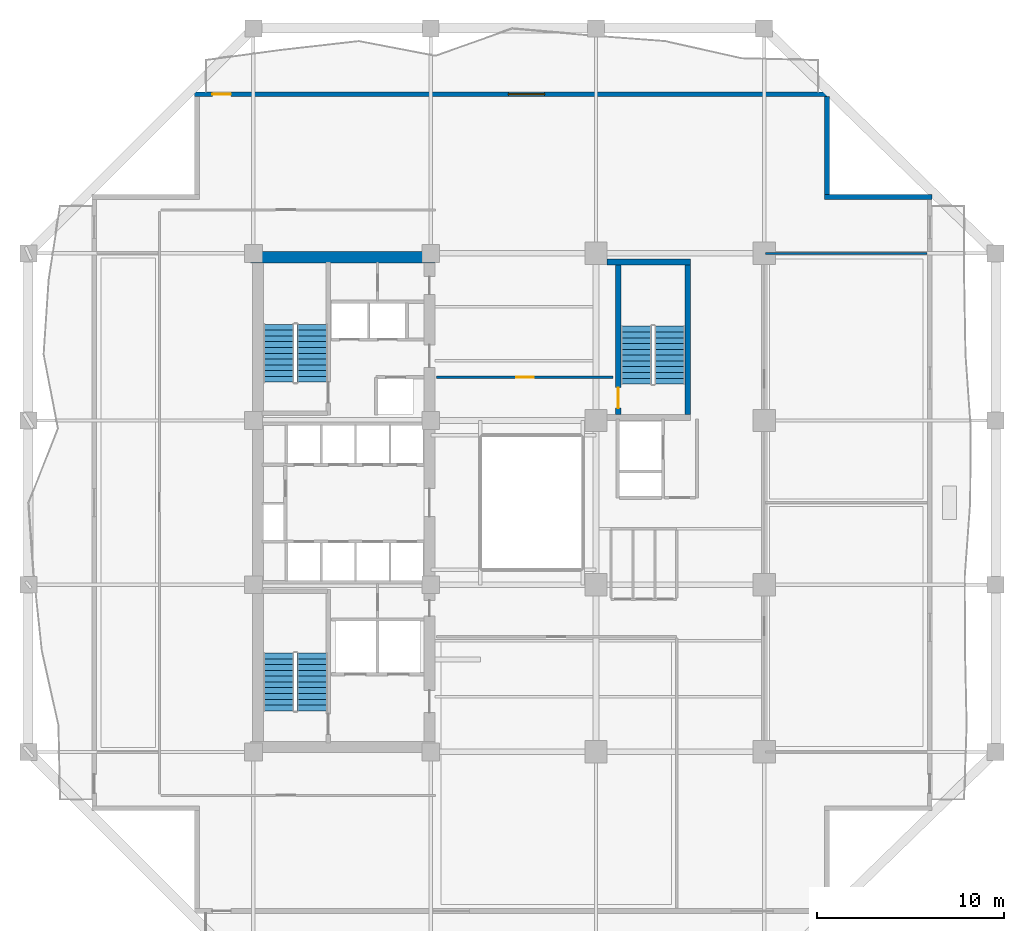
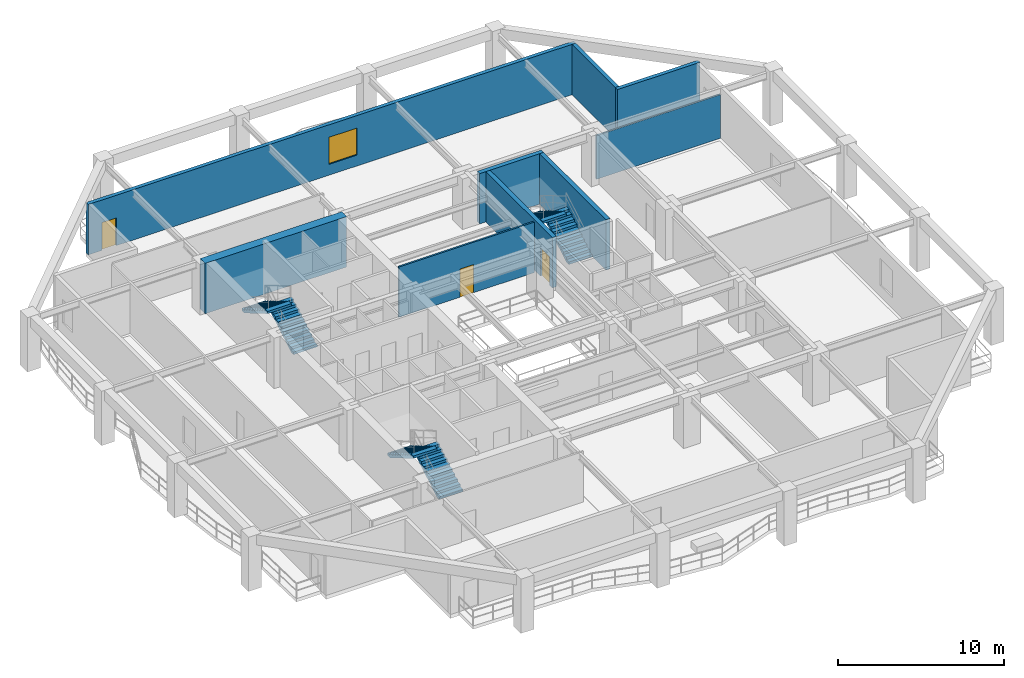
# One storey, part 5 of 13: 9 walls, 6 stair flights, 3 doors, 1 window, 4 openings, 3 elements without a shape of their own.
"""IFC4 building model written with IfcOpenShell, lengths in metres."""

from ifc_helpers import new_model, si_unit, direction, frame, frame_2d, origin, place, context, subcontext, project, spatial, polyline, rectangle, outline, extrude, material, layer, layer_set, type_object, element, fill, aggregate, save


model = new_model("IFC4")

# Units and contexts
model_context = context("Model", 3, precision=1e-05, world=origin(), true_north=direction((0.0, 1.0)))
body_context = subcontext(model_context, "Body", "Model", "MODEL_VIEW")
ifc_project = project(units=[si_unit("LENGTHUNIT", "METRE"), si_unit("AREAUNIT", "SQUARE_METRE"), si_unit("VOLUMEUNIT", "CUBIC_METRE"), si_unit("PLANEANGLEUNIT", "RADIAN"), si_unit("MASSUNIT", "GRAM", prefix="KILO")], contexts=[model_context])

# Site, building, storey
site_placement = place(None, origin())
site = spatial("IfcSite", under=ifc_project, at=site_placement, CompositionType="ELEMENT")
building_placement = place(site_placement, origin())
building = spatial("IfcBuilding", under=site, at=building_placement, Name="Kundavana Baori Tower", CompositionType="ELEMENT")
storey_placement = place(building_placement, frame((0.0, 0.0, 34.0)))
storey = spatial("IfcBuildingStorey", under=building, at=storey_placement, Name="L07", CompositionType="ELEMENT", Elevation=34.0)

# Walls
ifc_material_1 = material(Name="Concrete C60/75", Category="concrete")
ifc_layer_1 = layer(ifc_material_1, 0.60009765625, Name="WL-CORE-600")
ifc_layer_set_1 = layer_set([ifc_layer_1], Name="Concrete C60/75")
wall_type_1 = type_object("IfcWallType", Name="WL-CORE-600", PredefinedType="SHEAR", material=ifc_layer_set_1)
wall_1_placement = place(storey_placement, frame((15.300048828125, 41.739990234375, 0.0), z_axis=(0.0, 0.0, 1.0), x_axis=(1.0, 0.0, 0.0)))
element("IfcWall", 1, at=wall_1_placement, inside=storey, type_object=wall_type_1, Name="L07 Offset Core North Shear Wall", PredefinedType="SHEAR", context=body_context, shape_type="SweptSolid", body=[
    extrude(rectangle(XDim=9.8798828125, YDim=0.60009765625, at=frame_2d((4.93994140625, 0.0))), origin(), (0.0, 0.0, 1.0), 3.719970703125),
])
ifc_material_2 = material(Name="Kiln-Fired Terracotta Brick-Slip Masonry on Concrete C40/50", Category="masonry")
ifc_layer_2 = layer(ifc_material_2, 0.260009765625, Name="WL-EXT-BRK-260")
ifc_layer_set_2 = layer_set([ifc_layer_2], Name="Kiln-Fired Terracotta Brick-Slip Masonry on Concrete C40/50")
wall_type_2 = type_object("IfcWallType", Name="WL-EXT-BRK-260", PredefinedType="SOLIDWALL", material=ifc_layer_set_2)
wall_2_placement = place(storey_placement, frame((51.800048828125, 44.969970703125, 0.0), z_axis=(0.0, 0.0, 1.0), x_axis=(-1.0, 0.0, 0.0)))
element("IfcWall", 2, at=wall_2_placement, inside=storey, type_object=wall_type_2, Name="L07 Exterior Insulated Facade Wall 05", PredefinedType="SOLIDWALL", context=body_context, shape_type="SweptSolid", body=[
    extrude(rectangle(XDim=5.760009765625, YDim=0.260009765625, at=frame_2d((2.8798828125, 0.0))), origin(), (0.0, 0.0, 1.0), 3.719970703125),
])
wall_3_placement = place(storey_placement, frame((46.169921875, 45.10009765625, 0.0), z_axis=(0.0, 0.0, 1.0), x_axis=(0.0, 1.0, 0.0)))
element("IfcWall", 3, at=wall_3_placement, inside=storey, type_object=wall_type_2, Name="L07 Exterior Insulated Facade Wall 06", PredefinedType="SOLIDWALL", context=body_context, shape_type="SweptSolid", body=[
    extrude(rectangle(XDim=5.239990234375, YDim=0.260009765625, at=frame_2d((2.6201171875, 0.0))), origin(), (0.0, 0.0, 1.0), 3.719970703125),
])

# Wall, openings, door, window
wall_4_placement = place(storey_placement, frame((46.300048828125, 50.469970703125, 0.0), z_axis=(0.0, 0.0, 1.0), x_axis=(-1.0, 0.0, 0.0)))
wall_4 = element("IfcWall", 4, at=wall_4_placement, inside=storey, type_object=wall_type_2, Name="L07 Exterior Insulated Facade Wall 07", PredefinedType="SOLIDWALL", context=body_context, shape_type="SweptSolid", body=[
    extrude(rectangle(XDim=34.0, YDim=0.260009765625, at=frame_2d((17.0, 0.0))), origin(), (0.0, 0.0, 1.0), 3.719970703125),
])
opening_1_placement = place(wall_4_placement, frame((32.050048828125, 0.0, 0.0)))
opening_1 = element("IfcOpeningElement", 5, at=opening_1_placement, cuts=wall_4, Name="Opening BD-1", PredefinedType="OPENING", context=body_context, shape_type="SweptSolid", body=[
    extrude(rectangle(XDim=1.0, YDim=2.050048828125, at=frame_2d((0.5, 1.02490234375))), frame((0.0, 0.14013671875, 0.0), z_axis=(0.0, -1.0, 0.0), x_axis=(1.0, 0.0, 0.0)), (0.0, 0.0, 1.0), 0.280029296875),
])
opening_2_placement = place(wall_4_placement, frame((15.25, 0.0, 0.800048828125)))
opening_2 = element("IfcOpeningElement", 6, at=opening_2_placement, cuts=wall_4, Name="Opening W-09", PredefinedType="OPENING", context=body_context, shape_type="SweptSolid", body=[
    extrude(rectangle(XDim=1.949951171875, YDim=2.0, at=frame_2d((0.97509765625, 1.0))), frame((0.0, 0.14013671875, 0.0), z_axis=(0.0, -1.0, 0.0), x_axis=(1.0, 0.0, 0.0)), (0.0, 0.0, 1.0), 0.280029296875),
])
ifc_material_3 = material(Name="Architectural Patinated Bronze Metalwork")
door_type_1 = type_object("IfcDoorType", Name="DR-EXT-LOG-1000", OperationType="NOTDEFINED", PredefinedType="DOOR", material=ifc_material_3)
door_1_placement = place(opening_1_placement, frame((1.0, 0.0, 0.0), z_axis=(0.0, 0.0, 1.0), x_axis=(-1.0, 0.0, 0.0)))
door_1 = element("IfcDoor", 7, at=door_1_placement, inside=storey, type_object=door_type_1, Name="L07 Loggia Balcony Access Door N", OperationType="SINGLE_SWING_LEFT", OverallHeight=2.050048828125, OverallWidth=1.0, PredefinedType="DOOR", context=body_context, shape_type="SweptSolid", body=[
    extrude(rectangle(XDim=1.0, YDim=2.050048828125, at=frame_2d((0.5, 1.02490234375))), frame((0.0, 0.02490234375, 0.0), z_axis=(0.0, -1.0, 0.0), x_axis=(1.0, 0.0, 0.0)), (0.0, 0.0, 1.0), 0.050048828125),
])
fill(opening_1, door_1)
ifc_material_4 = material(Name="Double-Glazed Solar-Control Low-E Insulated Glass", Category="glass")
window_type = type_object("IfcWindowType", Name="WIN-LOG-1950x2000", PartitioningType="SINGLE_PANEL", PredefinedType="WINDOW", material=ifc_material_4)
window_placement = place(opening_2_placement, origin())
window = element("IfcWindow", 8, at=window_placement, inside=storey, type_object=window_type, Name="L07 Recessed Loggia Window N-1", OverallHeight=2.0, OverallWidth=1.949951171875, PartitioningType="SINGLE_PANEL", PredefinedType="WINDOW", context=body_context, shape_type="SweptSolid", body=[
    extrude(rectangle(XDim=1.949951171875, YDim=2.0, at=frame_2d((0.97509765625, 1.0))), frame((0.0, 0.030029296875, 0.0), z_axis=(0.0, -1.0, 0.0), x_axis=(1.0, 0.0, 0.0)), (0.0, 0.0, 1.0), 0.06005859375),
])
fill(opening_2, window)

# Wall, opening, door
ifc_material_5 = material(Name="Acoustic Gypsum Plasterboard on Galvanised Steel Studs", Category="steel")
ifc_layer_3 = layer(ifc_material_5, 0.1201171875, Name="WL-PART-120")
ifc_layer_set_3 = layer_set([ifc_layer_3], Name="Acoustic Gypsum Plasterboard on Galvanised Steel Studs")
wall_type_3 = type_object("IfcWallType", Name="WL-PART-120", PredefinedType="PARTITIONING", material=ifc_layer_set_3)
wall_5_placement = place(storey_placement, frame((25.25, 35.320068359375, 0.0), z_axis=(0.0, 0.0, 1.0), x_axis=(1.0, 0.0, 0.0)))
wall_5 = element("IfcWall", 9, at=wall_5_placement, inside=storey, type_object=wall_type_3, Name="WL-L07-OFN", PredefinedType="PARTITIONING", context=body_context, shape_type="SweptSolid", body=[
    extrude(rectangle(XDim=9.469970703125, YDim=0.1201171875, at=frame_2d((4.73486328125, 0.0))), origin(), (0.0, 0.0, 1.0), 3.719970703125),
])
opening_3_placement = place(wall_5_placement, frame((4.264892578125, 0.0, 0.0)))
opening_3 = element("IfcOpeningElement", 10, at=opening_3_placement, cuts=wall_5, Name="Opening ID-095", PredefinedType="OPENING", context=body_context, shape_type="SweptSolid", body=[
    extrude(rectangle(XDim=0.949951171875, YDim=2.080078125, at=frame_2d((0.47509765625, 1.0400390625))), frame((0.0, 0.070068359375, 0.0), z_axis=(0.0, -1.0, 0.0), x_axis=(1.0, 0.0, 0.0)), (0.0, 0.0, 1.0), 0.14013671875),
])
ifc_material_6 = material(Name="Engineered Teak Solid-Core Timber Veneer", Category="wood")
door_type_2 = type_object("IfcDoorType", Name="DR-INT-950", OperationType="NOTDEFINED", PredefinedType="DOOR", material=ifc_material_6)
door_2_placement = place(opening_3_placement, origin())
door_2 = element("IfcDoor", 11, at=door_2_placement, inside=storey, type_object=door_type_2, Name="DR-L07-OFN1", OperationType="SINGLE_SWING_LEFT", OverallHeight=2.080078125, OverallWidth=0.949951171875, PredefinedType="DOOR", context=body_context, shape_type="SweptSolid", body=[
    extrude(rectangle(XDim=0.949951171875, YDim=2.080078125, at=frame_2d((0.47509765625, 1.0400390625))), frame((0.0, 0.02490234375, 0.0), z_axis=(0.0, -1.0, 0.0), x_axis=(1.0, 0.0, 0.0)), (0.0, 0.0, 1.0), 0.050048828125),
])
fill(opening_3, door_2)

# Walls
wall_6_placement = place(storey_placement, frame((42.8798828125, 41.949951171875, 0.0), z_axis=(0.0, 0.0, 1.0), x_axis=(1.0, 0.0, 0.0)))
element("IfcWall", 12, at=wall_6_placement, inside=storey, type_object=wall_type_3, Name="WL-L07-OFEN", PredefinedType="PARTITIONING", context=body_context, shape_type="SweptSolid", body=[
    extrude(rectangle(XDim=8.64013671875, YDim=0.1201171875, at=frame_2d((4.320068359375, 0.0))), origin(), (0.0, 0.0, 1.0), 3.219970703125),
])
ifc_material_7 = material(Name="Concrete C50/60", Category="concrete")
ifc_layer_4 = layer(ifc_material_7, 0.300048828125, Name="WL-ST3-300")
ifc_layer_set_4 = layer_set([ifc_layer_4], Name="Concrete C50/60")
wall_type_4 = type_object("IfcWallType", Name="WL-ST3-300", PredefinedType="SHEAR", material=ifc_layer_set_4)
wall_7_placement = place(storey_placement, frame((34.39990234375, 41.489990234375, 0.0), z_axis=(0.0, 0.0, 1.0), x_axis=(1.0, 0.0, 0.0)))
element("IfcWall", 13, at=wall_7_placement, inside=storey, type_object=wall_type_4, Name="L07 Stair ST3 North Shear Wall", PredefinedType="SHEAR", context=body_context, shape_type="SweptSolid", body=[
    extrude(rectangle(XDim=4.47021484375, YDim=0.300048828125, at=frame_2d((2.235107421875, 0.0))), origin(), (0.0, 0.0, 1.0), 3.719970703125),
])

# Wall, opening, door
wall_8_placement = place(storey_placement, frame((34.97998046875, 33.31005859375, 0.0), z_axis=(0.0, 0.0, 1.0), x_axis=(0.0, 1.0, 0.0)))
wall_8 = element("IfcWall", 14, at=wall_8_placement, inside=storey, type_object=wall_type_4, Name="L07 Stair ST3 West Shear Wall", PredefinedType="SHEAR", context=body_context, shape_type="SweptSolid", body=[
    extrude(rectangle(XDim=8.030029296875, YDim=0.300048828125, at=frame_2d((4.01513671875, 0.0))), origin(), (0.0, 0.0, 1.0), 3.719970703125),
])
opening_4_placement = place(wall_8_placement, frame((0.35009765625, 0.0, 0.0)))
opening_4 = element("IfcOpeningElement", 15, at=opening_4_placement, cuts=wall_8, Name="Opening FD-110", PredefinedType="OPENING", context=body_context, shape_type="SweptSolid", body=[
    extrude(rectangle(XDim=1.10009765625, YDim=2.10009765625, at=frame_2d((0.550048828125, 1.050048828125))), frame((0.0, 0.16015625, 0.0), z_axis=(0.0, -1.0, 0.0), x_axis=(1.0, 0.0, 0.0)), (0.0, 0.0, 1.0), 0.320068359375),
])
ifc_material_8 = material(Name="Galvanised Steel Fire-Rated Door Leaf", Category="steel")
door_type_3 = type_object("IfcDoorType", Name="DR-FD120-1100", OperationType="NOTDEFINED", PredefinedType="DOOR", material=ifc_material_8)
door_3_placement = place(opening_4_placement, origin())
door_3 = element("IfcDoor", 16, at=door_3_placement, inside=storey, type_object=door_type_3, Name="DR-L07-ST3-W", OperationType="SINGLE_SWING_LEFT", OverallHeight=2.10009765625, OverallWidth=1.10009765625, PredefinedType="DOOR", context=body_context, shape_type="SweptSolid", body=[
    extrude(rectangle(XDim=1.10009765625, YDim=2.10009765625, at=frame_2d((0.550048828125, 1.050048828125))), frame((0.0, 0.02490234375, 0.0), z_axis=(0.0, -1.0, 0.0), x_axis=(1.0, 0.0, 0.0)), (0.0, 0.0, 1.0), 0.050048828125),
])
fill(opening_4, door_3)

# Wall
wall_9_placement = place(storey_placement, frame((38.719970703125, 33.31005859375, 0.0), z_axis=(0.0, 0.0, 1.0), x_axis=(0.0, 1.0, 0.0)))
element("IfcWall", 17, at=wall_9_placement, inside=storey, type_object=wall_type_4, Name="L07 Stair ST3 East Shear Wall", PredefinedType="SHEAR", context=body_context, shape_type="SweptSolid", body=[
    extrude(rectangle(XDim=8.030029296875, YDim=0.300048828125, at=frame_2d((4.01513671875, 0.0))), origin(), (0.0, 0.0, 1.0), 3.719970703125),
])

# Stair, stair flights
ifc_material_9 = material(Name="Concrete C40/50", Category="concrete")
stair_type = type_object("IfcStairType", Name="STR-DOG-1650", PredefinedType="HALF_TURN_STAIR", material=ifc_material_9)
stair_1_placement = place(storey_placement, origin())
stair_1 = element("IfcStair", 18, at=stair_1_placement, inside=storey, type_object=stair_type, Name="L07 Protected Exit Stair ST1", PredefinedType="HALF_TURN_STAIR")
ifc_material_10 = material(Name="Concrete C40/50", Category="concrete")
stair_flight_type = type_object("IfcStairFlightType", Name="SFL-RC-1650", PredefinedType="STRAIGHT", material=ifc_material_10)
stair_flight_1_placement = place(storey_placement, frame((18.614990234375, 17.449951171875, 0.0), z_axis=(0.0, 0.0, 1.0), x_axis=(0.0, 1.0, 0.0)))
stair_flight_1 = element("IfcStairFlight", 19, at=stair_flight_1_placement, type_object=stair_flight_type, Name="ST1 flight 1", NumberOfRisers=11, NumberOfTreads=10, PredefinedType="STRAIGHT", RiserHeight=0.181818182, TreadLength=0.31, context=body_context, shape_type="SweptSolid", body=[
    extrude(outline(polyline([(0.0, 0.0), (0.0, 0.181884765625), (0.31005859375, 0.181884765625), (0.31005859375, 0.363525390625), (0.6201171875, 0.363525390625), (0.6201171875, 0.54541015625), (0.929931640625, 0.54541015625), (0.929931640625, 0.727294921875), (1.239990234375, 0.727294921875), (1.239990234375, 0.9091796875), (1.550048828125, 0.9091796875), (1.550048828125, 1.0908203125), (1.860107421875, 1.0908203125), (1.860107421875, 1.272705078125), (2.169921875, 1.272705078125), (2.169921875, 1.45458984375), (2.47998046875, 1.45458984375), (2.47998046875, 1.636474609375), (2.7900390625, 1.636474609375), (2.7900390625, 1.818115234375), (3.10009765625, 1.818115234375), (3.10009765625, 2.0), (3.10009765625, 1.644287109375), (0.29638671875, 0.0), (0.0, 0.0)])), frame((0.0, 0.824951171875, 0.0), z_axis=(0.0, -1.0, 0.0), x_axis=(1.0, 0.0, 0.0)), (0.0, 0.0, 1.0), 1.64990234375),
])
stair_flight_2_placement = place(storey_placement, frame((16.804931640625, 20.550048828125, 2.0), z_axis=(0.0, 0.0, 1.0), x_axis=(0.0, -1.0, 0.0)))
stair_flight_2 = element("IfcStairFlight", 20, at=stair_flight_2_placement, type_object=stair_flight_type, Name="ST1 flight 2", NumberOfRisers=11, NumberOfTreads=10, PredefinedType="STRAIGHT", RiserHeight=0.181818182, TreadLength=0.31, context=body_context, shape_type="SweptSolid", body=[
    extrude(outline(polyline([(0.0, 0.0), (0.0, 0.181884765625), (0.31005859375, 0.181884765625), (0.31005859375, 0.363525390625), (0.6201171875, 0.363525390625), (0.6201171875, 0.54541015625), (0.929931640625, 0.54541015625), (0.929931640625, 0.727294921875), (1.239990234375, 0.727294921875), (1.239990234375, 0.9091796875), (1.550048828125, 0.9091796875), (1.550048828125, 1.0908203125), (1.860107421875, 1.0908203125), (1.860107421875, 1.272705078125), (2.169921875, 1.272705078125), (2.169921875, 1.45458984375), (2.47998046875, 1.45458984375), (2.47998046875, 1.636474609375), (2.7900390625, 1.636474609375), (2.7900390625, 1.818115234375), (3.10009765625, 1.818115234375), (3.10009765625, 2.0), (3.10009765625, 1.644287109375), (0.29638671875, 0.0), (0.0, 0.0)])), frame((0.0, 0.824951171875, 0.0), z_axis=(0.0, -1.0, 0.0), x_axis=(1.0, 0.0, 0.0)), (0.0, 0.0, 1.0), 1.64990234375),
])
aggregate(stair_1, [stair_flight_1, stair_flight_2])

stair_2_placement = place(storey_placement, origin())
stair_2 = element("IfcStair", 21, at=stair_2_placement, inside=storey, type_object=stair_type, Name="L07 Protected Exit Stair ST2", PredefinedType="HALF_TURN_STAIR")
stair_flight_3_placement = place(storey_placement, frame((18.614990234375, 35.050048828125, 0.0), z_axis=(0.0, 0.0, 1.0), x_axis=(0.0, 1.0, 0.0)))
stair_flight_3 = element("IfcStairFlight", 22, at=stair_flight_3_placement, type_object=stair_flight_type, Name="ST2 flight 1", NumberOfRisers=11, NumberOfTreads=10, PredefinedType="STRAIGHT", RiserHeight=0.181818182, TreadLength=0.31, context=body_context, shape_type="SweptSolid", body=[
    extrude(outline(polyline([(0.0, 0.0), (0.0, 0.181884765625), (0.31005859375, 0.181884765625), (0.31005859375, 0.363525390625), (0.6201171875, 0.363525390625), (0.6201171875, 0.54541015625), (0.929931640625, 0.54541015625), (0.929931640625, 0.727294921875), (1.239990234375, 0.727294921875), (1.239990234375, 0.9091796875), (1.550048828125, 0.9091796875), (1.550048828125, 1.0908203125), (1.860107421875, 1.0908203125), (1.860107421875, 1.272705078125), (2.169921875, 1.272705078125), (2.169921875, 1.45458984375), (2.47998046875, 1.45458984375), (2.47998046875, 1.636474609375), (2.7900390625, 1.636474609375), (2.7900390625, 1.818115234375), (3.10009765625, 1.818115234375), (3.10009765625, 2.0), (3.10009765625, 1.644287109375), (0.29638671875, 0.0), (0.0, 0.0)])), frame((0.0, 0.824951171875, 0.0), z_axis=(0.0, -1.0, 0.0), x_axis=(1.0, 0.0, 0.0)), (0.0, 0.0, 1.0), 1.64990234375),
])
stair_flight_4_placement = place(storey_placement, frame((16.804931640625, 38.14990234375, 2.0), z_axis=(0.0, 0.0, 1.0), x_axis=(0.0, -1.0, 0.0)))
stair_flight_4 = element("IfcStairFlight", 23, at=stair_flight_4_placement, type_object=stair_flight_type, Name="ST2 flight 2", NumberOfRisers=11, NumberOfTreads=10, PredefinedType="STRAIGHT", RiserHeight=0.181818182, TreadLength=0.31, context=body_context, shape_type="SweptSolid", body=[
    extrude(outline(polyline([(0.0, 0.0), (0.0, 0.181884765625), (0.31005859375, 0.181884765625), (0.31005859375, 0.363525390625), (0.6201171875, 0.363525390625), (0.6201171875, 0.54541015625), (0.929931640625, 0.54541015625), (0.929931640625, 0.727294921875), (1.239990234375, 0.727294921875), (1.239990234375, 0.9091796875), (1.550048828125, 0.9091796875), (1.550048828125, 1.0908203125), (1.860107421875, 1.0908203125), (1.860107421875, 1.272705078125), (2.169921875, 1.272705078125), (2.169921875, 1.45458984375), (2.47998046875, 1.45458984375), (2.47998046875, 1.636474609375), (2.7900390625, 1.636474609375), (2.7900390625, 1.818115234375), (3.10009765625, 1.818115234375), (3.10009765625, 2.0), (3.10009765625, 1.644287109375), (0.29638671875, 0.0), (0.0, 0.0)])), frame((0.0, 0.824951171875, 0.0), z_axis=(0.0, -1.0, 0.0), x_axis=(1.0, 0.0, 0.0)), (0.0, 0.0, 1.0), 1.64990234375),
])
aggregate(stair_2, [stair_flight_3, stair_flight_4])

stair_3_placement = place(storey_placement, origin())
stair_3 = element("IfcStair", 24, at=stair_3_placement, inside=storey, type_object=stair_type, Name="L07 Protected Exit Stair ST3", PredefinedType="HALF_TURN_STAIR")
stair_flight_5_placement = place(storey_placement, frame((37.7548828125, 34.949951171875, 0.0), z_axis=(0.0, 0.0, 1.0), x_axis=(0.0, 1.0, 0.0)))
stair_flight_5 = element("IfcStairFlight", 25, at=stair_flight_5_placement, type_object=stair_flight_type, Name="ST3 flight 1", NumberOfRisers=11, NumberOfTreads=10, PredefinedType="STRAIGHT", RiserHeight=0.181818182, TreadLength=0.31, context=body_context, shape_type="SweptSolid", body=[
    extrude(outline(polyline([(0.0, 0.0), (0.0, 0.181884765625), (0.31005859375, 0.181884765625), (0.31005859375, 0.363525390625), (0.6201171875, 0.363525390625), (0.6201171875, 0.54541015625), (0.929931640625, 0.54541015625), (0.929931640625, 0.727294921875), (1.239990234375, 0.727294921875), (1.239990234375, 0.9091796875), (1.550048828125, 0.9091796875), (1.550048828125, 1.0908203125), (1.860107421875, 1.0908203125), (1.860107421875, 1.272705078125), (2.169921875, 1.272705078125), (2.169921875, 1.45458984375), (2.47998046875, 1.45458984375), (2.47998046875, 1.636474609375), (2.7900390625, 1.636474609375), (2.7900390625, 1.818115234375), (3.10009765625, 1.818115234375), (3.10009765625, 2.0), (3.10009765625, 1.644287109375), (0.29638671875, 0.0), (0.0, 0.0)])), frame((0.0, 0.824951171875, 0.0), z_axis=(0.0, -1.0, 0.0), x_axis=(1.0, 0.0, 0.0)), (0.0, 0.0, 1.0), 1.64990234375),
])
stair_flight_6_placement = place(storey_placement, frame((35.945068359375, 38.050048828125, 2.0), z_axis=(0.0, 0.0, 1.0), x_axis=(0.0, -1.0, 0.0)))
stair_flight_6 = element("IfcStairFlight", 26, at=stair_flight_6_placement, type_object=stair_flight_type, Name="ST3 flight 2", NumberOfRisers=11, NumberOfTreads=10, PredefinedType="STRAIGHT", RiserHeight=0.181818182, TreadLength=0.31, context=body_context, shape_type="SweptSolid", body=[
    extrude(outline(polyline([(0.0, 0.0), (0.0, 0.181884765625), (0.31005859375, 0.181884765625), (0.31005859375, 0.363525390625), (0.6201171875, 0.363525390625), (0.6201171875, 0.54541015625), (0.929931640625, 0.54541015625), (0.929931640625, 0.727294921875), (1.239990234375, 0.727294921875), (1.239990234375, 0.9091796875), (1.550048828125, 0.9091796875), (1.550048828125, 1.0908203125), (1.860107421875, 1.0908203125), (1.860107421875, 1.272705078125), (2.169921875, 1.272705078125), (2.169921875, 1.45458984375), (2.47998046875, 1.45458984375), (2.47998046875, 1.636474609375), (2.7900390625, 1.636474609375), (2.7900390625, 1.818115234375), (3.10009765625, 1.818115234375), (3.10009765625, 2.0), (3.10009765625, 1.644287109375), (0.29638671875, 0.0), (0.0, 0.0)])), frame((0.0, 0.824951171875, 0.0), z_axis=(0.0, -1.0, 0.0), x_axis=(1.0, 0.0, 0.0)), (0.0, 0.0, 1.0), 1.64990234375),
])
aggregate(stair_3, [stair_flight_5, stair_flight_6])

save(model, "model.ifc")
